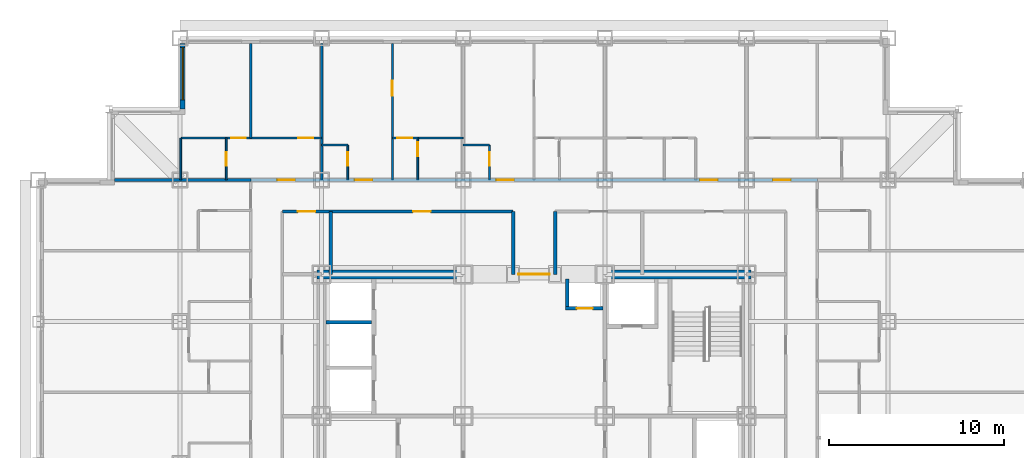
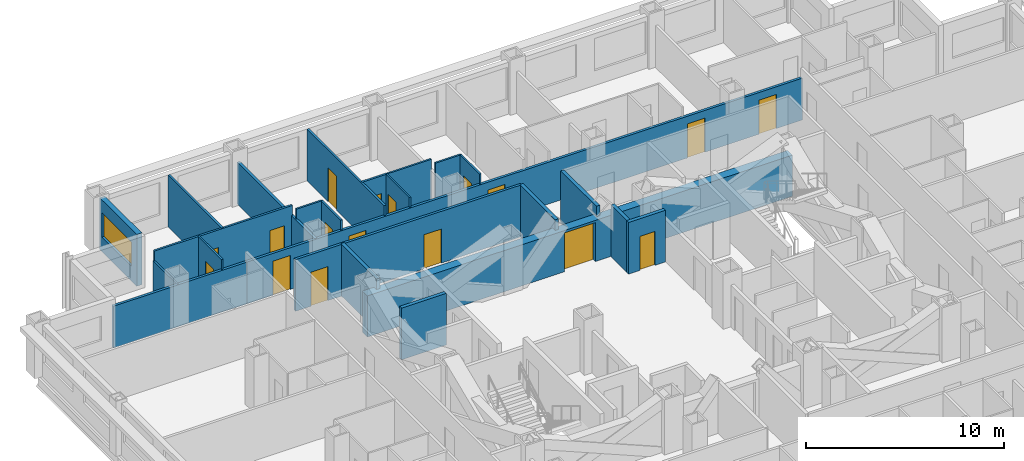
# One storey, part 9 of 13: 24 walls, 17 doors, 1 window, 18 openings.
"""IFC4 building model written with IfcOpenShell, lengths in metres."""

from ifc_helpers import new_model, si_unit, direction, frame, frame_2d, origin, place, context, subcontext, project, spatial, rectangle, extrude, material, layer, layer_set, type_object, element, fill, save


model = new_model("IFC4")

# Units and contexts
model_context = context("Model", 3, precision=1e-05, world=origin(), true_north=direction((0.0, 1.0)))
body_context = subcontext(model_context, "Body", "Model", "MODEL_VIEW")
ifc_project = project(units=[si_unit("LENGTHUNIT", "METRE"), si_unit("AREAUNIT", "SQUARE_METRE"), si_unit("VOLUMEUNIT", "CUBIC_METRE"), si_unit("PLANEANGLEUNIT", "RADIAN"), si_unit("MASSUNIT", "GRAM", prefix="KILO")], contexts=[model_context])

# Site, building, storey
site_placement = place(None, origin())
site = spatial("IfcSite", under=ifc_project, at=site_placement, CompositionType="ELEMENT")
building_placement = place(site_placement, origin())
building = spatial("IfcBuilding", under=site, at=building_placement, Name="Kopane Lantern Tower", CompositionType="ELEMENT")
storey_placement = place(building_placement, frame((0.0, 0.0, 113.60009765625)))
storey = spatial("IfcBuildingStorey", under=building, at=storey_placement, Name="L28", CompositionType="ELEMENT", Elevation=113.60009765625)

# Wall, opening, door
ifc_material_1 = material(Name="Gypsum board on steel studs", Category="steel")
ifc_layer_1 = layer(ifc_material_1, 0.1201171875)
ifc_layer_set_1 = layer_set([ifc_layer_1], Name="APARTMENT INTERNAL WALL 120")
wall_type_1 = type_object("IfcWallType", Name="APARTMENT INTERNAL WALL 120", PredefinedType="PARTITIONING", material=ifc_layer_set_1)
wall_1_placement = place(storey_placement, frame((20.25, 45.89990234375, 0.0), z_axis=(0.0, 0.0, 1.0), x_axis=(0.0, 1.0, 0.0)))
wall_1 = element("IfcWall", 1, at=wall_1_placement, inside=storey, type_object=wall_type_1, Name="Apartment Internal Wall 120 L28", PredefinedType="PARTITIONING", context=body_context, shape_type="SweptSolid", body=[
    extrude(rectangle(XDim=7.800048828125, YDim=0.1201171875, at=frame_2d((3.89990234375, 0.0))), origin(), (0.0, 0.0, 1.0), 3.18994140625),
])
opening_1_placement = place(wall_1_placement, frame((4.824951171875, 0.0, 0.0)))
opening_1 = element("IfcOpeningElement", 2, at=opening_1_placement, cuts=wall_1, Name="Opening L28-027", PredefinedType="OPENING", context=body_context, shape_type="SweptSolid", body=[
    extrude(rectangle(XDim=0.85009765625, YDim=2.10009765625, at=frame_2d((0.425048828125, 1.050048828125))), frame((0.0, 0.070068359375, 0.0), z_axis=(0.0, -1.0, 0.0), x_axis=(1.0, 0.0, 0.0)), (0.0, 0.0, 1.0), 0.14013671875),
])
ifc_material_2 = material(Name="Timber door set", Category="wood")
door_type_1 = type_object("IfcDoorType", Name="DOOR D4 850x2100", OperationType="SINGLE_SWING_LEFT", PredefinedType="DOOR", material=ifc_material_2)
door_1_placement = place(opening_1_placement, origin())
door_1 = element("IfcDoor", 3, at=door_1_placement, inside=storey, type_object=door_type_1, Name="Door L28-027", OperationType="SINGLE_SWING_RIGHT", OverallHeight=2.10009765625, OverallWidth=0.85009765625, PredefinedType="DOOR", context=body_context, shape_type="SweptSolid", body=[
    extrude(rectangle(XDim=0.85009765625, YDim=2.10009765625, at=frame_2d((0.425048828125, 1.050048828125))), frame((0.0, 0.02490234375, 0.0), z_axis=(0.0, -1.0, 0.0), x_axis=(1.0, 0.0, 0.0)), (0.0, 0.0, 1.0), 0.050048828125),
])
fill(opening_1, door_1)

# Wall, openings, doors
wall_2_placement = place(storey_placement, frame((8.14990234375, 48.300048828125, 0.0), z_axis=(0.0, 0.0, 1.0), x_axis=(1.0, 0.0, 0.0)))
wall_2 = element("IfcWall", 4, at=wall_2_placement, inside=storey, type_object=wall_type_1, Name="Apartment Internal Wall 120 L28", PredefinedType="PARTITIONING", context=body_context, shape_type="SweptSolid", body=[
    extrude(rectangle(XDim=8.050048828125, YDim=0.1201171875, at=frame_2d((4.02490234375, 0.0))), origin(), (0.0, 0.0, 1.0), 3.18994140625),
])
opening_2_placement = place(wall_2_placement, frame((6.72509765625, 0.0, 0.0)))
opening_2 = element("IfcOpeningElement", 5, at=opening_2_placement, cuts=wall_2, Name="Opening L28-072", PredefinedType="OPENING", context=body_context, shape_type="SweptSolid", body=[
    extrude(rectangle(XDim=0.85009765625, YDim=2.10009765625, at=frame_2d((0.425048828125, 1.050048828125))), frame((0.0, 0.070068359375, 0.0), z_axis=(0.0, -1.0, 0.0), x_axis=(1.0, 0.0, 0.0)), (0.0, 0.0, 1.0), 0.14013671875),
])
opening_3_placement = place(wall_2_placement, frame((2.875, 0.0, 0.0)))
opening_3 = element("IfcOpeningElement", 6, at=opening_3_placement, cuts=wall_2, Name="Opening L28-074", PredefinedType="OPENING", context=body_context, shape_type="SweptSolid", body=[
    extrude(rectangle(XDim=0.85009765625, YDim=2.10009765625, at=frame_2d((0.425048828125, 1.050048828125))), frame((0.0, 0.070068359375, 0.0), z_axis=(0.0, -1.0, 0.0), x_axis=(1.0, 0.0, 0.0)), (0.0, 0.0, 1.0), 0.14013671875),
])
door_2_placement = place(opening_2_placement, origin())
door_2 = element("IfcDoor", 7, at=door_2_placement, inside=storey, type_object=door_type_1, Name="Door L28-072", OperationType="SINGLE_SWING_LEFT", OverallHeight=2.10009765625, OverallWidth=0.85009765625, PredefinedType="DOOR", context=body_context, shape_type="SweptSolid", body=[
    extrude(rectangle(XDim=0.85009765625, YDim=2.10009765625, at=frame_2d((0.425048828125, 1.050048828125))), frame((0.0, 0.02490234375, 0.0), z_axis=(0.0, -1.0, 0.0), x_axis=(1.0, 0.0, 0.0)), (0.0, 0.0, 1.0), 0.050048828125),
])
fill(opening_2, door_2)
door_3_placement = place(opening_3_placement, origin())
door_3 = element("IfcDoor", 8, at=door_3_placement, inside=storey, type_object=door_type_1, Name="Door L28-074", OperationType="SINGLE_SWING_RIGHT", OverallHeight=2.10009765625, OverallWidth=0.85009765625, PredefinedType="DOOR", context=body_context, shape_type="SweptSolid", body=[
    extrude(rectangle(XDim=0.85009765625, YDim=2.10009765625, at=frame_2d((0.425048828125, 1.050048828125))), frame((0.0, 0.02490234375, 0.0), z_axis=(0.0, -1.0, 0.0), x_axis=(1.0, 0.0, 0.0)), (0.0, 0.0, 1.0), 0.050048828125),
])
fill(opening_3, door_3)

# Wall
wall_3_placement = place(storey_placement, frame((12.14990234375, 48.300048828125, 0.0), z_axis=(0.0, 0.0, 1.0), x_axis=(0.0, 1.0, 0.0)))
element("IfcWall", 9, at=wall_3_placement, inside=storey, type_object=wall_type_1, Name="Apartment Internal Wall 120 L28", PredefinedType="PARTITIONING", context=body_context, shape_type="SweptSolid", body=[
    extrude(rectangle(XDim=5.39990234375, YDim=0.1201171875, at=frame_2d((2.699951171875, 0.0))), origin(), (0.0, 0.0, 1.0), 3.18994140625),
])

# Wall, opening, door
wall_4_placement = place(storey_placement, frame((20.25, 48.300048828125, 0.0), z_axis=(0.0, 0.0, 1.0), x_axis=(1.0, 0.0, 0.0)))
wall_4 = element("IfcWall", 10, at=wall_4_placement, inside=storey, type_object=wall_type_1, Name="Apartment Internal Wall 120 L28", PredefinedType="PARTITIONING", context=body_context, shape_type="SweptSolid", body=[
    extrude(rectangle(XDim=1.4599609375, YDim=0.1201171875, at=frame_2d((0.72998046875, 0.0))), origin(), (0.0, 0.0, 1.0), 3.18994140625),
])
opening_4_placement = place(wall_4_placement, frame((0.27490234375, 0.0, 0.0)))
opening_4 = element("IfcOpeningElement", 11, at=opening_4_placement, cuts=wall_4, Name="Opening L28-078", PredefinedType="OPENING", context=body_context, shape_type="SweptSolid", body=[
    extrude(rectangle(XDim=0.85009765625, YDim=2.10009765625, at=frame_2d((0.425048828125, 1.050048828125))), frame((0.0, 0.070068359375, 0.0), z_axis=(0.0, -1.0, 0.0), x_axis=(1.0, 0.0, 0.0)), (0.0, 0.0, 1.0), 0.14013671875),
])
door_4_placement = place(opening_4_placement, origin())
door_4 = element("IfcDoor", 12, at=door_4_placement, inside=storey, type_object=door_type_1, Name="Door L28-078", OperationType="SINGLE_SWING_LEFT", OverallHeight=2.10009765625, OverallWidth=0.85009765625, PredefinedType="DOOR", context=body_context, shape_type="SweptSolid", body=[
    extrude(rectangle(XDim=0.85009765625, YDim=2.10009765625, at=frame_2d((0.425048828125, 1.050048828125))), frame((0.0, 0.02490234375, 0.0), z_axis=(0.0, -1.0, 0.0), x_axis=(1.0, 0.0, 0.0)), (0.0, 0.0, 1.0), 0.050048828125),
])
fill(opening_4, door_4)

# Wall
ifc_material_3 = material(Name="Moisture-resistant board on steel studs", Category="steel")
ifc_layer_2 = layer(ifc_material_3, 0.10009765625)
ifc_layer_set_2 = layer_set([ifc_layer_2], Name="BATHROOM WALL 100")
wall_type_2 = type_object("IfcWallType", Name="BATHROOM WALL 100", PredefinedType="PARTITIONING", material=ifc_layer_set_2)
wall_5_placement = place(storey_placement, frame((16.199951171875, 47.89990234375, 0.0), z_axis=(0.0, 0.0, 1.0), x_axis=(1.0, 0.0, 0.0)))
element("IfcWall", 13, at=wall_5_placement, inside=storey, type_object=wall_type_2, Name="Bathroom Wall 100 L28", PredefinedType="PARTITIONING", context=body_context, shape_type="SweptSolid", body=[
    extrude(rectangle(XDim=1.5, YDim=0.10009765625, at=frame_2d((0.75, 0.0))), origin(), (0.0, 0.0, 1.0), 3.18994140625),
])

# Wall, opening, door
wall_6_placement = place(storey_placement, frame((17.699951171875, 45.89990234375, 0.0), z_axis=(0.0, 0.0, 1.0), x_axis=(0.0, 1.0, 0.0)))
wall_6 = element("IfcWall", 14, at=wall_6_placement, inside=storey, type_object=wall_type_2, Name="Bathroom Wall 100 L28", PredefinedType="PARTITIONING", context=body_context, shape_type="SweptSolid", body=[
    extrude(rectangle(XDim=2.0, YDim=0.10009765625, at=frame_2d((1.0, 0.0))), origin(), (0.0, 0.0, 1.0), 3.18994140625),
])
opening_5_placement = place(wall_6_placement, frame((0.800048828125, 0.0, 0.0)))
opening_5 = element("IfcOpeningElement", 15, at=opening_5_placement, cuts=wall_6, Name="Opening L28-024", PredefinedType="OPENING", context=body_context, shape_type="SweptSolid", body=[
    extrude(rectangle(XDim=0.800048828125, YDim=2.10009765625, at=frame_2d((0.39990234375, 1.050048828125))), frame((0.0, 0.06005859375, 0.0), z_axis=(0.0, -1.0, 0.0), x_axis=(1.0, 0.0, 0.0)), (0.0, 0.0, 1.0), 0.1201171875),
])
ifc_material_4 = material(Name="Timber door set", Category="wood")
door_type_2 = type_object("IfcDoorType", Name="DOOR D2 800x2100", OperationType="SINGLE_SWING_LEFT", PredefinedType="DOOR", material=ifc_material_4)
door_5_placement = place(opening_5_placement, origin())
door_5 = element("IfcDoor", 16, at=door_5_placement, inside=storey, type_object=door_type_2, Name="Door L28-024", OperationType="SINGLE_SWING_RIGHT", OverallHeight=2.10009765625, OverallWidth=0.800048828125, PredefinedType="DOOR", context=body_context, shape_type="SweptSolid", body=[
    extrude(rectangle(XDim=0.800048828125, YDim=2.10009765625, at=frame_2d((0.39990234375, 1.050048828125))), frame((0.0, 0.02490234375, 0.0), z_axis=(0.0, -1.0, 0.0), x_axis=(1.0, 0.0, 0.0)), (0.0, 0.0, 1.0), 0.050048828125),
])
fill(opening_5, door_5)

# Wall
wall_7_placement = place(storey_placement, frame((21.699951171875, 48.300048828125, 0.0), z_axis=(0.0, 0.0, 1.0), x_axis=(1.0, 0.0, 0.0)))
element("IfcWall", 17, at=wall_7_placement, inside=storey, type_object=wall_type_2, Name="Bathroom Wall 100 L28", PredefinedType="PARTITIONING", context=body_context, shape_type="SweptSolid", body=[
    extrude(rectangle(XDim=2.60009765625, YDim=0.10009765625, at=frame_2d((1.300048828125, 0.0))), origin(), (0.0, 0.0, 1.0), 3.18994140625),
])

# Wall, opening, door
wall_8_placement = place(storey_placement, frame((21.699951171875, 45.89990234375, 0.0), z_axis=(0.0, 0.0, 1.0), x_axis=(0.0, 1.0, 0.0)))
wall_8 = element("IfcWall", 18, at=wall_8_placement, inside=storey, type_object=wall_type_2, Name="Bathroom Wall 100 L28", PredefinedType="PARTITIONING", context=body_context, shape_type="SweptSolid", body=[
    extrude(rectangle(XDim=2.400146484375, YDim=0.10009765625, at=frame_2d((1.2001953125, 0.0))), origin(), (0.0, 0.0, 1.0), 3.18994140625),
])
opening_6_placement = place(wall_8_placement, frame((1.35009765625, 0.0, 0.0)))
opening_6 = element("IfcOpeningElement", 19, at=opening_6_placement, cuts=wall_8, Name="Opening L28-026", PredefinedType="OPENING", context=body_context, shape_type="SweptSolid", body=[
    extrude(rectangle(XDim=0.800048828125, YDim=2.10009765625, at=frame_2d((0.39990234375, 1.050048828125))), frame((0.0, 0.06005859375, 0.0), z_axis=(0.0, -1.0, 0.0), x_axis=(1.0, 0.0, 0.0)), (0.0, 0.0, 1.0), 0.1201171875),
])
door_6_placement = place(opening_6_placement, origin())
door_6 = element("IfcDoor", 20, at=door_6_placement, inside=storey, type_object=door_type_2, Name="Door L28-026", OperationType="SINGLE_SWING_RIGHT", OverallHeight=2.10009765625, OverallWidth=0.800048828125, PredefinedType="DOOR", context=body_context, shape_type="SweptSolid", body=[
    extrude(rectangle(XDim=0.800048828125, YDim=2.10009765625, at=frame_2d((0.39990234375, 1.050048828125))), frame((0.0, 0.02490234375, 0.0), z_axis=(0.0, -1.0, 0.0), x_axis=(1.0, 0.0, 0.0)), (0.0, 0.0, 1.0), 0.050048828125),
])
fill(opening_6, door_6)

# Wall
wall_9_placement = place(storey_placement, frame((24.300048828125, 47.89990234375, 0.0), z_axis=(0.0, 0.0, 1.0), x_axis=(1.0, 0.0, 0.0)))
element("IfcWall", 21, at=wall_9_placement, inside=storey, type_object=wall_type_2, Name="Bathroom Wall 100 L28", PredefinedType="PARTITIONING", context=body_context, shape_type="SweptSolid", body=[
    extrude(rectangle(XDim=1.5, YDim=0.10009765625, at=frame_2d((0.75, 0.0))), origin(), (0.0, 0.0, 1.0), 3.18994140625),
])

# Wall, opening, door
wall_10_placement = place(storey_placement, frame((25.800048828125, 45.89990234375, 0.0), z_axis=(0.0, 0.0, 1.0), x_axis=(0.0, 1.0, 0.0)))
wall_10 = element("IfcWall", 22, at=wall_10_placement, inside=storey, type_object=wall_type_2, Name="Bathroom Wall 100 L28", PredefinedType="PARTITIONING", context=body_context, shape_type="SweptSolid", body=[
    extrude(rectangle(XDim=2.0, YDim=0.10009765625, at=frame_2d((1.0, 0.0))), origin(), (0.0, 0.0, 1.0), 3.18994140625),
])
opening_7_placement = place(wall_10_placement, frame((0.800048828125, 0.0, 0.0)))
opening_7 = element("IfcOpeningElement", 23, at=opening_7_placement, cuts=wall_10, Name="Opening L28-028", PredefinedType="OPENING", context=body_context, shape_type="SweptSolid", body=[
    extrude(rectangle(XDim=0.800048828125, YDim=2.10009765625, at=frame_2d((0.39990234375, 1.050048828125))), frame((0.0, 0.06005859375, 0.0), z_axis=(0.0, -1.0, 0.0), x_axis=(1.0, 0.0, 0.0)), (0.0, 0.0, 1.0), 0.1201171875),
])
door_7_placement = place(opening_7_placement, origin())
door_7 = element("IfcDoor", 24, at=door_7_placement, inside=storey, type_object=door_type_2, Name="Door L28-028", OperationType="SINGLE_SWING_RIGHT", OverallHeight=2.10009765625, OverallWidth=0.800048828125, PredefinedType="DOOR", context=body_context, shape_type="SweptSolid", body=[
    extrude(rectangle(XDim=0.800048828125, YDim=2.10009765625, at=frame_2d((0.39990234375, 1.050048828125))), frame((0.0, 0.02490234375, 0.0), z_axis=(0.0, -1.0, 0.0), x_axis=(1.0, 0.0, 0.0)), (0.0, 0.0, 1.0), 0.050048828125),
])
fill(opening_7, door_7)

wall_11_placement = place(storey_placement, frame((10.75, 45.89990234375, 0.0), z_axis=(0.0, 0.0, 1.0), x_axis=(0.0, 1.0, 0.0)))
wall_11 = element("IfcWall", 25, at=wall_11_placement, inside=storey, type_object=wall_type_2, Name="Bathroom Wall 100 L28", PredefinedType="PARTITIONING", context=body_context, shape_type="SweptSolid", body=[
    extrude(rectangle(XDim=2.400146484375, YDim=0.10009765625, at=frame_2d((1.2001953125, 0.0))), origin(), (0.0, 0.0, 1.0), 3.18994140625),
])
opening_8_placement = place(wall_11_placement, frame((0.800048828125, 0.0, 0.0)))
opening_8 = element("IfcOpeningElement", 26, at=opening_8_placement, cuts=wall_11, Name="Opening L28-073", PredefinedType="OPENING", context=body_context, shape_type="SweptSolid", body=[
    extrude(rectangle(XDim=0.800048828125, YDim=2.10009765625, at=frame_2d((0.39990234375, 1.050048828125))), frame((0.0, 0.06005859375, 0.0), z_axis=(0.0, -1.0, 0.0), x_axis=(1.0, 0.0, 0.0)), (0.0, 0.0, 1.0), 0.1201171875),
])
door_8_placement = place(opening_8_placement, origin())
door_8 = element("IfcDoor", 27, at=door_8_placement, inside=storey, type_object=door_type_2, Name="Door L28-073", OperationType="SINGLE_SWING_LEFT", OverallHeight=2.10009765625, OverallWidth=0.800048828125, PredefinedType="DOOR", context=body_context, shape_type="SweptSolid", body=[
    extrude(rectangle(XDim=0.800048828125, YDim=2.10009765625, at=frame_2d((0.39990234375, 1.050048828125))), frame((0.0, 0.02490234375, 0.0), z_axis=(0.0, -1.0, 0.0), x_axis=(1.0, 0.0, 0.0)), (0.0, 0.0, 1.0), 0.050048828125),
])
fill(opening_8, door_8)

# Wall
wall_12_placement = place(storey_placement, frame((8.14990234375, 45.89990234375, 0.0), z_axis=(0.0, 0.0, 1.0), x_axis=(0.0, 1.0, 0.0)))
element("IfcWall", 28, at=wall_12_placement, inside=storey, type_object=wall_type_2, Name="Bathroom Wall 100 L28", PredefinedType="PARTITIONING", context=body_context, shape_type="SweptSolid", body=[
    extrude(rectangle(XDim=2.400146484375, YDim=0.10009765625, at=frame_2d((1.2001953125, 0.0))), origin(), (0.0, 0.0, 1.0), 2.57763671875),
])

# Wall, opening, door
ifc_material_5 = material(Name="Gypsum shaft wall EI 120", Category="gypsum")
ifc_layer_3 = layer(ifc_material_5, 0.5)
ifc_layer_set_3 = layer_set([ifc_layer_3], Name="CORE PERIMETER WALL 500 EI 120")
wall_type_3 = type_object("IfcWallType", Name="CORE PERIMETER WALL 500 EI 120", PredefinedType="SOLIDWALL", material=ifc_layer_set_3)
wall_13_placement = place(storey_placement, frame((15.949951171875, 40.5, 0.0), z_axis=(0.0, 0.0, 1.0), x_axis=(1.0, 0.0, 0.0)))
wall_13 = element("IfcWall", 29, at=wall_13_placement, inside=storey, type_object=wall_type_3, Name="Core shaft wall L28 PN", PredefinedType="SOLIDWALL", context=body_context, shape_type="SweptSolid", body=[
    extrude(rectangle(XDim=24.800048828125, YDim=0.5, at=frame_2d((12.39990234375, 0.0))), origin(), (0.0, 0.0, 1.0), 2.539794921875),
])
opening_9_placement = place(wall_13_placement, frame((11.5, 0.0, 0.0)))
opening_9 = element("IfcOpeningElement", 30, at=opening_9_placement, cuts=wall_13, Name="Opening 28.CE-N", PredefinedType="OPENING", context=body_context, shape_type="SweptSolid", body=[
    extrude(rectangle(XDim=1.800048828125, YDim=2.39990234375, at=frame_2d((0.89990234375, 1.199951171875))), frame((0.0, 0.260009765625, 0.0), z_axis=(0.0, -1.0, 0.0), x_axis=(1.0, 0.0, 0.0)), (0.0, 0.0, 1.0), 0.52001953125),
])
ifc_material_6 = material(Name="Steel door set", Category="steel")
door_type_3 = type_object("IfcDoorType", Name="CORE ENTRY DOOR 1800x2400 FD60S", OperationType="DOUBLE_DOOR_SINGLE_SWING", PredefinedType="DOOR", material=ifc_material_6)
door_9_placement = place(opening_9_placement, origin())
door_9 = element("IfcDoor", 31, at=door_9_placement, inside=storey, type_object=door_type_3, Name="Core entry door L28 north", OperationType="DOUBLE_DOOR_SINGLE_SWING", OverallHeight=2.39990234375, OverallWidth=1.800048828125, PredefinedType="DOOR", context=body_context, shape_type="SweptSolid", body=[
    extrude(rectangle(XDim=1.800048828125, YDim=2.39990234375, at=frame_2d((0.89990234375, 1.199951171875))), frame((0.0, 0.02490234375, 0.0), z_axis=(0.0, -1.0, 0.0), x_axis=(1.0, 0.0, 0.0)), (0.0, 0.0, 1.0), 0.050048828125),
])
fill(opening_9, door_9)

# Wall, openings, doors
ifc_material_7 = material(Name="Gypsum board on steel studs", Category="steel")
ifc_layer_4 = layer(ifc_material_7, 0.14990234375)
ifc_layer_set_4 = layer_set([ifc_layer_4], Name="CORRIDOR WALL 150 EI 60")
wall_type_4 = type_object("IfcWallType", Name="CORRIDOR WALL 150 EI 60", PredefinedType="PARTITIONING", material=ifc_layer_set_4)
wall_14_placement = place(storey_placement, frame((12.14990234375, 45.89990234375, 0.0), z_axis=(0.0, 0.0, 1.0), x_axis=(1.0, 0.0, 0.0)))
wall_14 = element("IfcWall", 32, at=wall_14_placement, inside=storey, type_object=wall_type_4, Name="Corridor Wall 150 Ei 60 L28", PredefinedType="PARTITIONING", context=body_context, shape_type="SweptSolid", body=[
    extrude(rectangle(XDim=32.400146484375, YDim=0.14990234375, at=frame_2d((16.2001953125, 0.0))), origin(), (0.0, 0.0, 1.0), 2.57763671875),
])
opening_10_placement = place(wall_14_placement, frame((5.949951171875, 0.0, 0.0)))
opening_10 = element("IfcOpeningElement", 33, at=opening_10_placement, cuts=wall_14, Name="Opening L28-025", PredefinedType="OPENING", context=body_context, shape_type="SweptSolid", body=[
    extrude(rectangle(XDim=1.0, YDim=2.10009765625, at=frame_2d((0.5, 1.050048828125))), frame((0.0, 0.0849609375, 0.0), z_axis=(0.0, -1.0, 0.0), x_axis=(1.0, 0.0, 0.0)), (0.0, 0.0, 1.0), 0.169921875),
])
opening_11_placement = place(wall_14_placement, frame((14.050048828125, 0.0, 0.0)))
opening_11 = element("IfcOpeningElement", 34, at=opening_11_placement, cuts=wall_14, Name="Opening L28-029", PredefinedType="OPENING", context=body_context, shape_type="SweptSolid", body=[
    extrude(rectangle(XDim=1.0, YDim=2.10009765625, at=frame_2d((0.5, 1.050048828125))), frame((0.0, 0.0849609375, 0.0), z_axis=(0.0, -1.0, 0.0), x_axis=(1.0, 0.0, 0.0)), (0.0, 0.0, 1.0), 0.169921875),
])
opening_12_placement = place(wall_14_placement, frame((25.699951171875, 0.0, 0.0)))
opening_12 = element("IfcOpeningElement", 35, at=opening_12_placement, cuts=wall_14, Name="Opening L28-034", PredefinedType="OPENING", context=body_context, shape_type="SweptSolid", body=[
    extrude(rectangle(XDim=1.0, YDim=2.10009765625, at=frame_2d((0.5, 1.050048828125))), frame((0.0, 0.0849609375, 0.0), z_axis=(0.0, -1.0, 0.0), x_axis=(1.0, 0.0, 0.0)), (0.0, 0.0, 1.0), 0.169921875),
])
opening_13_placement = place(wall_14_placement, frame((29.875, 0.0, 0.0)))
opening_13 = element("IfcOpeningElement", 36, at=opening_13_placement, cuts=wall_14, Name="Opening L28-067", PredefinedType="OPENING", context=body_context, shape_type="SweptSolid", body=[
    extrude(rectangle(XDim=1.0, YDim=2.10009765625, at=frame_2d((0.5, 1.050048828125))), frame((0.0, 0.0849609375, 0.0), z_axis=(0.0, -1.0, 0.0), x_axis=(1.0, 0.0, 0.0)), (0.0, 0.0, 1.0), 0.169921875),
])
opening_14_placement = place(wall_14_placement, frame((1.52490234375, 0.0, 0.0)))
opening_14 = element("IfcOpeningElement", 37, at=opening_14_placement, cuts=wall_14, Name="Opening L28-071", PredefinedType="OPENING", context=body_context, shape_type="SweptSolid", body=[
    extrude(rectangle(XDim=1.0, YDim=2.10009765625, at=frame_2d((0.5, 1.050048828125))), frame((0.0, 0.0849609375, 0.0), z_axis=(0.0, -1.0, 0.0), x_axis=(1.0, 0.0, 0.0)), (0.0, 0.0, 1.0), 0.169921875),
])
ifc_material_8 = material(Name="Steel door set", Category="steel")
door_type_4 = type_object("IfcDoorType", Name="DOOR D1 1000x2100 FD30S", OperationType="SINGLE_SWING_LEFT", PredefinedType="DOOR", material=ifc_material_8)
door_10_placement = place(opening_10_placement, origin())
door_10 = element("IfcDoor", 38, at=door_10_placement, inside=storey, type_object=door_type_4, Name="Door L28-025", OperationType="SINGLE_SWING_LEFT", OverallHeight=2.10009765625, OverallWidth=1.0, PredefinedType="DOOR", context=body_context, shape_type="SweptSolid", body=[
    extrude(rectangle(XDim=1.0, YDim=2.10009765625, at=frame_2d((0.5, 1.050048828125))), frame((0.0, 0.02490234375, 0.0), z_axis=(0.0, -1.0, 0.0), x_axis=(1.0, 0.0, 0.0)), (0.0, 0.0, 1.0), 0.050048828125),
])
fill(opening_10, door_10)
door_11_placement = place(opening_11_placement, origin())
door_11 = element("IfcDoor", 39, at=door_11_placement, inside=storey, type_object=door_type_4, Name="Door L28-029", OperationType="SINGLE_SWING_LEFT", OverallHeight=2.10009765625, OverallWidth=1.0, PredefinedType="DOOR", context=body_context, shape_type="SweptSolid", body=[
    extrude(rectangle(XDim=1.0, YDim=2.10009765625, at=frame_2d((0.5, 1.050048828125))), frame((0.0, 0.02490234375, 0.0), z_axis=(0.0, -1.0, 0.0), x_axis=(1.0, 0.0, 0.0)), (0.0, 0.0, 1.0), 0.050048828125),
])
fill(opening_11, door_11)
door_12_placement = place(opening_12_placement, origin())
door_12 = element("IfcDoor", 40, at=door_12_placement, inside=storey, type_object=door_type_4, Name="Door L28-034", OperationType="SINGLE_SWING_LEFT", OverallHeight=2.10009765625, OverallWidth=1.0, PredefinedType="DOOR", context=body_context, shape_type="SweptSolid", body=[
    extrude(rectangle(XDim=1.0, YDim=2.10009765625, at=frame_2d((0.5, 1.050048828125))), frame((0.0, 0.02490234375, 0.0), z_axis=(0.0, -1.0, 0.0), x_axis=(1.0, 0.0, 0.0)), (0.0, 0.0, 1.0), 0.050048828125),
])
fill(opening_12, door_12)
door_13_placement = place(opening_13_placement, origin())
door_13 = element("IfcDoor", 41, at=door_13_placement, inside=storey, type_object=door_type_4, Name="Door L28-067", OperationType="SINGLE_SWING_LEFT", OverallHeight=2.10009765625, OverallWidth=1.0, PredefinedType="DOOR", context=body_context, shape_type="SweptSolid", body=[
    extrude(rectangle(XDim=1.0, YDim=2.10009765625, at=frame_2d((0.5, 1.050048828125))), frame((0.0, 0.02490234375, 0.0), z_axis=(0.0, -1.0, 0.0), x_axis=(1.0, 0.0, 0.0)), (0.0, 0.0, 1.0), 0.050048828125),
])
fill(opening_13, door_13)
door_14_placement = place(opening_14_placement, origin())
door_14 = element("IfcDoor", 42, at=door_14_placement, inside=storey, type_object=door_type_4, Name="Door L28-071", OperationType="SINGLE_SWING_RIGHT", OverallHeight=2.10009765625, OverallWidth=1.0, PredefinedType="DOOR", context=body_context, shape_type="SweptSolid", body=[
    extrude(rectangle(XDim=1.0, YDim=2.10009765625, at=frame_2d((0.5, 1.050048828125))), frame((0.0, 0.02490234375, 0.0), z_axis=(0.0, -1.0, 0.0), x_axis=(1.0, 0.0, 0.0)), (0.0, 0.0, 1.0), 0.050048828125),
])
fill(opening_14, door_14)

wall_15_placement = place(storey_placement, frame((27.139892578125, 44.10009765625, 0.0), z_axis=(0.0, 0.0, 1.0), x_axis=(-1.0, 0.0, 0.0)))
wall_15 = element("IfcWall", 43, at=wall_15_placement, inside=storey, type_object=wall_type_4, Name="Corridor Wall 150 Ei 60 L28", PredefinedType="PARTITIONING", context=body_context, shape_type="SweptSolid", body=[
    extrude(rectangle(XDim=13.18994140625, YDim=0.14990234375, at=frame_2d((6.594970703125, 0.0))), origin(), (0.0, 0.0, 1.0), 3.18994140625),
])
opening_15_placement = place(wall_15_placement, frame((11.301025390625, 0.0, 0.0)))
opening_15 = element("IfcOpeningElement", 44, at=opening_15_placement, cuts=wall_15, Name="Opening L28-009", PredefinedType="OPENING", context=body_context, shape_type="SweptSolid", body=[
    extrude(rectangle(XDim=1.0, YDim=2.10009765625, at=frame_2d((0.5, 1.050048828125))), frame((0.0, 0.0849609375, 0.0), z_axis=(0.0, -1.0, 0.0), x_axis=(1.0, 0.0, 0.0)), (0.0, 0.0, 1.0), 0.169921875),
])
opening_16_placement = place(wall_15_placement, frame((4.701171875, 0.0, 0.0)))
opening_16 = element("IfcOpeningElement", 45, at=opening_16_placement, cuts=wall_15, Name="Opening L28-010", PredefinedType="OPENING", context=body_context, shape_type="SweptSolid", body=[
    extrude(rectangle(XDim=1.0, YDim=2.10009765625, at=frame_2d((0.5, 1.050048828125))), frame((0.0, 0.0849609375, 0.0), z_axis=(0.0, -1.0, 0.0), x_axis=(1.0, 0.0, 0.0)), (0.0, 0.0, 1.0), 0.169921875),
])
ifc_material_9 = material(Name="Steel door set", Category="steel")
door_type_5 = type_object("IfcDoorType", Name="DOOR D5 1000x2100 FD60", OperationType="SINGLE_SWING_LEFT", PredefinedType="DOOR", material=ifc_material_9)
door_15_placement = place(opening_15_placement, origin())
door_15 = element("IfcDoor", 46, at=door_15_placement, inside=storey, type_object=door_type_5, Name="Door L28-009", OperationType="SINGLE_SWING_RIGHT", OverallHeight=2.10009765625, OverallWidth=1.0, PredefinedType="DOOR", context=body_context, shape_type="SweptSolid", body=[
    extrude(rectangle(XDim=1.0, YDim=2.10009765625, at=frame_2d((0.5, 1.050048828125))), frame((0.0, 0.02490234375, 0.0), z_axis=(0.0, -1.0, 0.0), x_axis=(1.0, 0.0, 0.0)), (0.0, 0.0, 1.0), 0.050048828125),
])
fill(opening_15, door_15)
door_16_placement = place(opening_16_placement, origin())
door_16 = element("IfcDoor", 47, at=door_16_placement, inside=storey, type_object=door_type_5, Name="Door L28-010", OperationType="SINGLE_SWING_LEFT", OverallHeight=2.10009765625, OverallWidth=1.0, PredefinedType="DOOR", context=body_context, shape_type="SweptSolid", body=[
    extrude(rectangle(XDim=1.0, YDim=2.10009765625, at=frame_2d((0.5, 1.050048828125))), frame((0.0, 0.02490234375, 0.0), z_axis=(0.0, -1.0, 0.0), x_axis=(1.0, 0.0, 0.0)), (0.0, 0.0, 1.0), 0.050048828125),
])
fill(opening_16, door_16)

# Walls
ifc_material_10 = material(Name="Gypsum board on steel studs", Category="steel")
ifc_layer_5 = layer(ifc_material_10, 0.14990234375)
ifc_layer_set_5 = layer_set([ifc_layer_5], Name="DEMISING WALL 150 EI 60")
wall_type_5 = type_object("IfcWallType", Name="DEMISING WALL 150 EI 60", PredefinedType="PARTITIONING", material=ifc_layer_set_5)
wall_16_placement = place(storey_placement, frame((4.35009765625, 45.89990234375, 0.0), z_axis=(0.0, 0.0, 1.0), x_axis=(1.0, 0.0, 0.0)))
element("IfcWall", 48, at=wall_16_placement, inside=storey, type_object=wall_type_5, Name="Demising Wall 150 Ei 60 L28", PredefinedType="PARTITIONING", context=body_context, shape_type="SweptSolid", body=[
    extrude(rectangle(XDim=7.7998046875, YDim=0.14990234375, at=frame_2d((3.89990234375, 0.0))), origin(), (0.0, 0.0, 1.0), 2.57763671875),
])
wall_17_placement = place(storey_placement, frame((16.199951171875, 45.89990234375, 0.0), z_axis=(0.0, 0.0, 1.0), x_axis=(0.0, 1.0, 0.0)))
element("IfcWall", 49, at=wall_17_placement, inside=storey, type_object=wall_type_5, Name="Demising Wall 150 Ei 60 L28", PredefinedType="PARTITIONING", context=body_context, shape_type="SweptSolid", body=[
    extrude(rectangle(XDim=7.800048828125, YDim=0.14990234375, at=frame_2d((3.89990234375, 0.0))), origin(), (0.0, 0.0, 1.0), 2.57763671875),
])

# Wall, opening, window
ifc_material_11 = material(Name="Terracotta rainscreen on light steel framing", Category="masonry")
ifc_layer_6 = layer(ifc_material_11, 0.300048828125)
ifc_layer_set_6 = layer_set([ifc_layer_6], Name="EXTERNAL WALL EW1 300 TERRACOTTA")
wall_type_6 = type_object("IfcWallType", Name="EXTERNAL WALL EW1 300 TERRACOTTA", PredefinedType="SOLIDWALL", material=ifc_layer_set_6)
wall_18_placement = place(storey_placement, frame((8.25, 53.699951171875, 0.0), z_axis=(0.0, 0.0, 1.0), x_axis=(0.0, -1.0, 0.0)))
wall_18 = element("IfcWall", 50, at=wall_18_placement, inside=storey, type_object=wall_type_6, Name="External wall W L28", PredefinedType="SOLIDWALL", context=body_context, shape_type="SweptSolid", body=[
    extrude(rectangle(XDim=3.75, YDim=0.300048828125, at=frame_2d((1.875, 0.0))), origin(), (0.0, 0.0, 1.0), 3.18994140625),
])
opening_17_placement = place(wall_18_placement, frame((0.22509765625, 0.0, 0.89990234375)))
opening_17 = element("IfcOpeningElement", 51, at=opening_17_placement, cuts=wall_18, Name="Opening WR300150", PredefinedType="OPENING", context=body_context, shape_type="SweptSolid", body=[
    extrude(rectangle(XDim=3.0, YDim=1.5, at=frame_2d((1.5, 0.75))), frame((0.0, 0.159912109375, 0.0), z_axis=(0.0, -1.0, 0.0), x_axis=(1.0, 0.0, 0.0)), (0.0, 0.0, 1.0), 0.320068359375),
])
ifc_material_12 = material(Name="Aluminium and clear glass", Category="aluminium")
window_type = type_object("IfcWindowType", Name="RIBBON WINDOW WR300150 3000x1500", PartitioningType="SINGLE_PANEL", PredefinedType="WINDOW", material=ifc_material_12)
window_placement = place(opening_17_placement, origin())
window = element("IfcWindow", 52, at=window_placement, inside=storey, type_object=window_type, Name="Window W L28", OverallHeight=1.5, OverallWidth=3.0, PartitioningType="SINGLE_PANEL", PredefinedType="WINDOW", context=body_context, shape_type="SweptSolid", body=[
    extrude(rectangle(XDim=3.0, YDim=1.5, at=frame_2d((1.5, 0.75))), frame((0.0, 0.030029296875, 0.0), z_axis=(0.0, -1.0, 0.0), x_axis=(1.0, 0.0, 0.0)), (0.0, 0.0, 1.0), 0.06005859375),
])
fill(opening_17, window)

# Walls
ifc_material_13 = material(Name="Concrete masonry", Category="masonry")
ifc_layer_7 = layer(ifc_material_13, 0.199951171875)
ifc_layer_set_7 = layer_set([ifc_layer_7], Name="PLANT ROOM WALL 200 EI 120")
wall_type_7 = type_object("IfcWallType", Name="PLANT ROOM WALL 200 EI 120", PredefinedType="SOLIDWALL", material=ifc_layer_set_7)
for number, where, z_axis, x_axis, name in (
    (53, (16.727783203125, 44.10009765625, 0.0), (0.0, 0.0, 1.0), (0.0, -1.0, 0.0), "Plant Room Wall 200 Ei 120 L28"),
    (54, (27.14990234375, 40.5, 0.0), (0.0, 0.0, 1.0), (0.0, 1.0, 0.0), "Plant Room Wall 200 Ei 120 L28"),
    (55, (29.550048828125, 40.5, 0.0), (0.0, 0.0, 1.0), (0.0, 1.0, 0.0), "Plant Room Wall 200 Ei 120 L28"),
):
    element("IfcWall", number, at=place(storey_placement, frame(where, z_axis=z_axis, x_axis=x_axis)), inside=storey, type_object=wall_type_7, Name=name, PredefinedType="SOLIDWALL", context=body_context, shape_type="SweptSolid", body=[
        extrude(rectangle(XDim=3.60009765625, YDim=0.199951171875, at=frame_2d((1.800048828125, 0.0))), origin(), (0.0, 0.0, 1.0), 3.18994140625),
    ])
ifc_material_14 = material(Name="Gypsum shaft wall EI 120", Category="gypsum")
ifc_layer_8 = layer(ifc_material_14, 0.199951171875)
ifc_layer_set_8 = layer_set([ifc_layer_8], Name="SHAFT WALL 200 EI 120")
wall_type_8 = type_object("IfcWallType", Name="SHAFT WALL 200 EI 120", PredefinedType="SOLIDWALL", material=ifc_layer_set_8)
wall_19_placement = place(storey_placement, frame((16.449951171875, 37.75, 0.0), z_axis=(0.0, 0.0, 1.0), x_axis=(1.0, 0.0, 0.0)))
element("IfcWall", 56, at=wall_19_placement, inside=storey, type_object=wall_type_8, Name="Core shaft wall L28 YLH23", PredefinedType="SOLIDWALL", context=body_context, shape_type="SweptSolid", body=[
    extrude(rectangle(XDim=2.60009765625, YDim=0.199951171875, at=frame_2d((1.300048828125, 0.0))), origin(), (0.0, 0.0, 1.0), 3.18994140625),
])
wall_20_placement = place(storey_placement, frame((30.25, 38.64990234375, 0.0), z_axis=(0.0, 0.0, 1.0), x_axis=(0.0, 1.0, 0.0)))
element("IfcWall", 57, at=wall_20_placement, inside=storey, type_object=wall_type_8, Name="Core shaft wall L28 XRS2", PredefinedType="SOLIDWALL", context=body_context, shape_type="SweptSolid", body=[
    extrude(rectangle(XDim=1.60009765625, YDim=0.199951171875, at=frame_2d((0.800048828125, 0.0))), origin(), (0.0, 0.0, 1.0), 3.18994140625),
])

# Wall, opening, door
wall_21_placement = place(storey_placement, frame((30.14990234375, 38.550048828125, 0.0), z_axis=(0.0, 0.0, 1.0), x_axis=(1.0, 0.0, 0.0)))
wall_21 = element("IfcWall", 58, at=wall_21_placement, inside=storey, type_object=wall_type_8, Name="Core shaft wall L28 YRS2", PredefinedType="SOLIDWALL", context=body_context, shape_type="SweptSolid", body=[
    extrude(rectangle(XDim=2.150146484375, YDim=0.199951171875, at=frame_2d((1.0751953125, 0.0))), origin(), (0.0, 0.0, 1.0), 3.18994140625),
])
opening_18_placement = place(wall_21_placement, frame((0.64990234375, 0.0, 0.0)))
opening_18 = element("IfcOpeningElement", 59, at=opening_18_placement, cuts=wall_21, Name="Opening 28.RS2", PredefinedType="OPENING", context=body_context, shape_type="SweptSolid", body=[
    extrude(rectangle(XDim=0.89990234375, YDim=2.10009765625, at=frame_2d((0.449951171875, 1.050048828125))), frame((0.0, 0.10986328125, 0.0), z_axis=(0.0, -1.0, 0.0), x_axis=(1.0, 0.0, 0.0)), (0.0, 0.0, 1.0), 0.219970703125),
])
ifc_material_15 = material(Name="Steel door set", Category="steel")
door_type_6 = type_object("IfcDoorType", Name="RISER ACCESS DOOR 900x2100 FD60", OperationType="SINGLE_SWING_LEFT", PredefinedType="DOOR", material=ifc_material_15)
door_17_placement = place(opening_18_placement, origin())
door_17 = element("IfcDoor", 60, at=door_17_placement, inside=storey, type_object=door_type_6, Name="Riser access door RS2 L28", OperationType="SINGLE_SWING_LEFT", OverallHeight=2.10009765625, OverallWidth=0.89990234375, PredefinedType="DOOR", context=body_context, shape_type="SweptSolid", body=[
    extrude(rectangle(XDim=0.89990234375, YDim=2.10009765625, at=frame_2d((0.449951171875, 1.050048828125))), frame((0.0, 0.02490234375, 0.0), z_axis=(0.0, -1.0, 0.0), x_axis=(1.0, 0.0, 0.0)), (0.0, 0.0, 1.0), 0.050048828125),
])
fill(opening_18, door_17)

save(model, "model.ifc")
